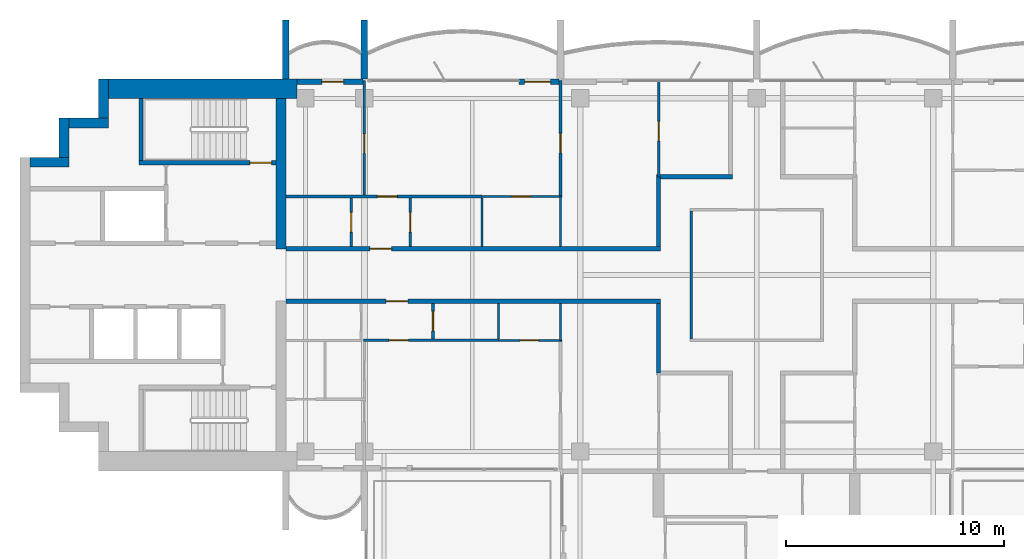
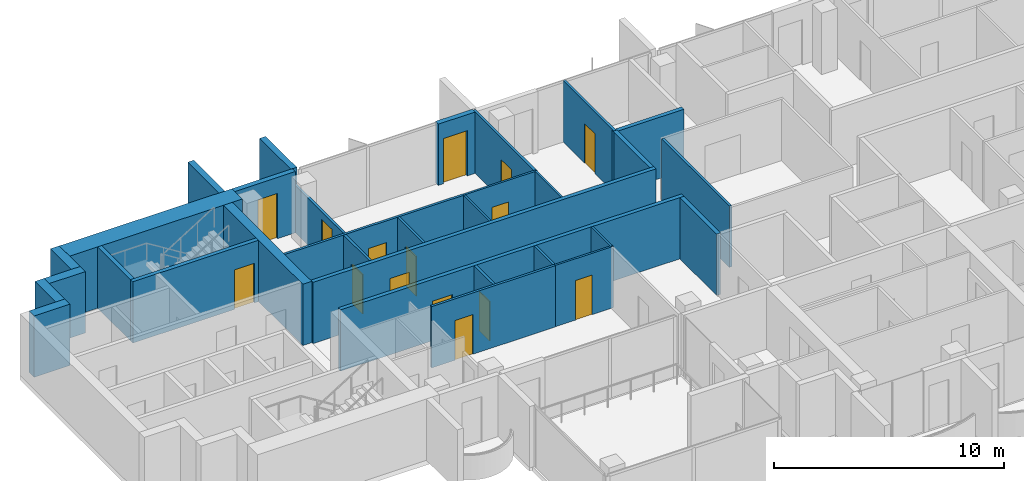
# One storey, part 8 of 16: 32 walls, 15 doors, 15 openings.
"""IFC4 building model written with IfcOpenShell, lengths in metres."""

import ifcopenshell
import ifcopenshell.guid

model = None  # the IFC model being written
_history = None  # IfcOwnerHistory: only IFC2X3 demands one
_inside = {}  # id of a spatial element -> (the spatial element, [elements in it])
_under = {}  # id of a project, library or spatial element -> (it, [spatial elements below it])
_declared = {}  # id of a project -> (the project, [libraries it declares])
_typed = {}  # id of a type object -> (the type object, [elements of that type])
_made_of = {}  # id of a material, layer set ... -> (it, [elements and type objects made of it])


def new_model(schema):
    """Start an empty IFC model of exactly this schema.

    Asked for "IFC4X3", IfcOpenShell would pick the latest addendum, in which some entities
    have other attributes; the version numbers below select the first issue.
    IFC2X3 requires an IfcOwnerHistory on every rooted entity: one is made here for all.
    """
    global model, _history
    if schema == "IFC4X3":
        model = ifcopenshell.file(schema_version=(4, 3, 0, 0))
    else:
        model = ifcopenshell.file(schema=schema)
    _inside.clear()
    _under.clear()
    _declared.clear()
    _typed.clear()
    _made_of.clear()
    _history = None
    if model.schema == "IFC2X3":
        org = make("IfcOrganization", Name="unknown")
        user = make(
            "IfcPersonAndOrganization",
            ThePerson=make("IfcPerson", FamilyName="unknown"),
            TheOrganization=org,
        )
        app = make(
            "IfcApplication",
            ApplicationDeveloper=org,
            Version="unknown",
            ApplicationFullName="unknown",
            ApplicationIdentifier="unknown",
        )
        _history = make(
            "IfcOwnerHistory",
            OwningUser=user,
            OwningApplication=app,
            ChangeAction="ADDED",
            CreationDate=0,
        )
    return model


def make(cls, **values):
    """One entity of the class cls with the attributes given. An attribute that is None is left unset."""
    return model.create_entity(
        cls, **{name: value for name, value in values.items() if value is not None}
    )


def rooted(cls, **values):
    """An entity with a GlobalId (a new one), such as an element, a storey or a relation."""
    return make(cls, GlobalId=ifcopenshell.guid.new(), OwnerHistory=_history, **values)


def si_unit(unit_type, name, prefix=None):
    """IfcSIUnit, for example si_unit("LENGTHUNIT", "METRE", prefix="MILLI")."""
    return make("IfcSIUnit", UnitType=unit_type, Prefix=prefix, Name=name)


def assignment(units):
    """IfcUnitAssignment: the units of a project."""
    return None if units is None else make("IfcUnitAssignment", Units=units)


def point(xyz):
    """IfcCartesianPoint."""
    return None if xyz is None else make("IfcCartesianPoint", Coordinates=xyz)


def direction(xyz):
    """IfcDirection."""
    return None if xyz is None else make("IfcDirection", DirectionRatios=xyz)


def frame(location, z_axis=None, x_axis=None):
    """IfcAxis2Placement3D, a coordinate frame: its origin and axes. An axis left out is left unset."""
    return make(
        "IfcAxis2Placement3D",
        Location=point(location),
        Axis=direction(z_axis),
        RefDirection=direction(x_axis),
    )


def frame_2d(location, x_axis=None):
    """IfcAxis2Placement2D, a coordinate frame in the plane: its origin and x axis."""
    return make(
        "IfcAxis2Placement2D", Location=point(location), RefDirection=direction(x_axis)
    )


def origin():
    """The frame at (0, 0, 0) with its axes left unset."""
    return frame((0.0, 0.0, 0.0))


def place(relative_to, where):
    """IfcLocalPlacement: puts the frame where relative to a parent placement (None: the world)."""
    return make(
        "IfcLocalPlacement", PlacementRelTo=relative_to, RelativePlacement=where
    )


def context(
    kind, dimensions, precision=None, world=None, true_north=None, identifier=None
):
    """IfcGeometricRepresentationContext, for example the 3D "Model" context."""
    return make(
        "IfcGeometricRepresentationContext",
        ContextIdentifier=identifier,
        ContextType=kind,
        CoordinateSpaceDimension=dimensions,
        Precision=precision,
        WorldCoordinateSystem=world,
        TrueNorth=true_north,
    )


def subcontext(parent, identifier, kind, view, scale=None):
    """IfcGeometricRepresentationSubContext, for example "Body" below "Model"."""
    return make(
        "IfcGeometricRepresentationSubContext",
        ContextIdentifier=identifier,
        ContextType=kind,
        ParentContext=parent,
        TargetScale=scale,
        TargetView=view,
    )


def project(units=None, contexts=None):
    """IfcProject with its units and contexts."""
    return rooted(
        "IfcProject",
        Name="project",
        RepresentationContexts=contexts,
        UnitsInContext=assignment(units),
    )


def spatial(cls, under=None, at=None, **own):
    """A site, building, storey or space (cls), placed at a placement, below another one or the project."""
    s = rooted(cls, ObjectPlacement=at, **own)
    if under is not None:
        _under.setdefault(under.id(), (under, []))[1].append(s)
    return s


def profile(cls, at=None, kind="AREA", **sizes):
    """A parametric profile (cls). Its sizes go by their IFC names, for example OverallWidth=200.0."""
    return make(cls, ProfileType=kind, Position=at, **sizes)


def rectangle(**sizes):
    """IfcRectangleProfileDef."""
    return profile("IfcRectangleProfileDef", **sizes)


def extrude(swept, where, along, depth):
    """IfcExtrudedAreaSolid: the profile swept, set in the frame where, extruded along a direction by depth."""
    return make(
        "IfcExtrudedAreaSolid",
        SweptArea=swept,
        Position=where,
        ExtrudedDirection=direction(along),
        Depth=depth,
    )


def shape(context_of_items, identifier, shape_type, items):
    """IfcShapeRepresentation: the items that make up one representation, for example the "Body"."""
    return make(
        "IfcShapeRepresentation",
        ContextOfItems=context_of_items,
        RepresentationIdentifier=identifier,
        RepresentationType=shape_type,
        Items=items,
    )


def material(Name=None, Category=None):
    """IfcMaterial."""
    return make("IfcMaterial", Name=Name, Category=Category)


def layer(
    of_material, thickness, ventilated=None, Name=None, Category=None, Priority=None
):
    """IfcMaterialLayer: one layer of a wall or slab, of a material (None: an air gap)."""
    return make(
        "IfcMaterialLayer",
        Material=of_material,
        LayerThickness=thickness,
        IsVentilated=ventilated,
        Name=Name,
        Category=Category,
        Priority=Priority,
    )


def layer_set(layers, Name=None):
    """IfcMaterialLayerSet."""
    return make("IfcMaterialLayerSet", MaterialLayers=layers, LayerSetName=Name)


def made_of(thing, what):
    """Note that an element or type object is made of a material, layer set ...; save() writes the relation."""
    if what is not None:
        _made_of.setdefault(what.id(), (what, []))[1].append(thing)
    return thing


def type_object(cls, material=None, **own):
    """A type object (cls), such as IfcWallType, which elements share."""
    return made_of(rooted(cls, **own), material)


def element(
    cls,
    number,
    at=None,
    inside=None,
    cuts=None,
    type_object=None,
    material=None,
    context=None,
    identifier="Body",
    shape_type=None,
    held_by="IfcProductDefinitionShape",
    body=None,
    shapes=None,
    **own,
):
    """One element of the class cls, such as IfcWall. Its Tag is "e" and its number.

    at: its placement. inside: the storey or other place that contains it. cuts: it is an
    opening in that element (IfcRelVoidsElement). A single representation is given by context,
    identifier, shape_type and body (its items); several are given by shapes. held_by: the class
    of the entity that holds the representations. save() writes the other relations.
    """
    e = rooted(cls, Tag="e%d" % number, ObjectPlacement=at, **own)
    if body is not None:
        shapes = [shape(context, identifier, shape_type, body)]
    if shapes is not None:
        e.Representation = make(held_by, Representations=shapes)
    if inside is not None:
        _inside.setdefault(inside.id(), (inside, []))[1].append(e)
    if cuts is not None:
        rooted(
            "IfcRelVoidsElement", RelatingBuildingElement=cuts, RelatedOpeningElement=e
        )
    if type_object is not None:
        _typed.setdefault(type_object.id(), (type_object, []))[1].append(e)
    return made_of(e, material)


def fill(opening, filler):
    """IfcRelFillsElement: the door or window that sits in an opening."""
    return rooted(
        "IfcRelFillsElement",
        RelatingOpeningElement=opening,
        RelatedBuildingElement=filler,
    )


def aggregate(whole, parts):
    """IfcRelAggregates: a whole, such as a stair, and the parts it consists of."""
    return rooted("IfcRelAggregates", RelatingObject=whole, RelatedObjects=parts)


def save(model, path):
    """Write the relations noted so far, then the file.

    IfcRelAggregates (storeys below a building ...), IfcRelContainedInSpatialStructure (elements
    in a storey), IfcRelDefinesByType, IfcRelAssociatesMaterial and IfcRelDeclares: one each for
    every whole, place, type object, material and project.
    """
    for whole, parts in _under.values():
        aggregate(whole, parts)
    for where, things in _inside.values():
        rooted(
            "IfcRelContainedInSpatialStructure",
            RelatedElements=things,
            RelatingStructure=where,
        )
    for kind, things in _typed.values():
        rooted("IfcRelDefinesByType", RelatedObjects=things, RelatingType=kind)
    for what, things in _made_of.values():
        rooted("IfcRelAssociatesMaterial", RelatedObjects=things, RelatingMaterial=what)
    for by, libraries in _declared.values():
        rooted("IfcRelDeclares", RelatingContext=by, RelatedDefinitions=libraries)
    model.write(path)


model = new_model("IFC4")

# Units and contexts
model_context = context("Model", 3, precision=1e-05, world=origin(), true_north=direction((0.0, 1.0)))
body_context = subcontext(model_context, "Body", "Model", "MODEL_VIEW")
ifc_project = project(units=[si_unit("LENGTHUNIT", "METRE"), si_unit("AREAUNIT", "SQUARE_METRE"), si_unit("VOLUMEUNIT", "CUBIC_METRE"), si_unit("PLANEANGLEUNIT", "RADIAN"), si_unit("MASSUNIT", "GRAM", prefix="KILO")], contexts=[model_context])

# Site, building, storey
site_placement = place(None, origin())
site = spatial("IfcSite", under=ifc_project, at=site_placement, CompositionType="ELEMENT")
building_placement = place(site_placement, origin())
building = spatial("IfcBuilding", under=site, at=building_placement, Name="Perihelion Cross Residences", CompositionType="ELEMENT")
storey_placement = place(building_placement, frame((0.0, 0.0, 267.5)))
storey = spatial("IfcBuildingStorey", under=building, at=storey_placement, Name="L68", CompositionType="ELEMENT", Elevation=267.5)

# Wall, opening, door
ifc_material_1 = material(Name="Plasterboard partition")
ifc_layer_1 = layer(ifc_material_1, 0.199951171875)
ifc_layer_set_1 = layer_set([ifc_layer_1], Name="Apartment separation wall 200")
wall_type_1 = type_object("IfcWallType", Name="Apartment separation wall 200", PredefinedType="PARTITIONING", material=ifc_layer_set_1)
wall_1_placement = place(storey_placement, frame((-21.60009765625, 1.199951171875, 0.0), z_axis=(0.0, 0.0, 1.0), x_axis=(1.0, 0.0, 0.0)))
wall_1 = element("IfcWall", 1, at=wall_1_placement, inside=storey, type_object=wall_type_1, Name="Partition L68 W013", PredefinedType="PARTITIONING", context=body_context, shape_type="SweptSolid", body=[
    extrude(rectangle(XDim=17.2001953125, YDim=0.199951171875, at=frame_2d((8.60009765625, 0.0))), origin(), (0.0, 0.0, 1.0), 3.25),
])
opening_1_placement = place(wall_1_placement, frame((3.85009765625, 0.0, 0.0)))
opening_1 = element("IfcOpeningElement", 2, at=opening_1_placement, cuts=wall_1, Name="Opening L68.A42", PredefinedType="OPENING", context=body_context, shape_type="SweptSolid", body=[
    extrude(rectangle(XDim=1.0, YDim=2.10009765625, at=frame_2d((0.5, 1.050048828125))), frame((0.0, 0.10986328125, 0.0), z_axis=(0.0, -1.0, 0.0), x_axis=(1.0, 0.0, 0.0)), (0.0, 0.0, 1.0), 0.219970703125),
])
ifc_material_2 = material(Name="Timber door leaf", Category="wood")
door_type_1 = type_object("IfcDoorType", Name="Flat entrance door 1000 x 2100", OperationType="SINGLE_SWING_LEFT", PredefinedType="DOOR", material=ifc_material_2)
door_1_placement = place(opening_1_placement, origin())
door_1 = element("IfcDoor", 3, at=door_1_placement, inside=storey, type_object=door_type_1, Name="Door L68.A42", OperationType="SINGLE_SWING_RIGHT", OverallHeight=2.10009765625, OverallWidth=1.0, PredefinedType="DOOR", context=body_context, shape_type="SweptSolid", body=[
    extrude(rectangle(XDim=1.0, YDim=2.10009765625, at=frame_2d((0.5, 1.050048828125))), frame((0.0, 0.02490234375, 0.0), z_axis=(0.0, -1.0, 0.0), x_axis=(1.0, 0.0, 0.0)), (0.0, 0.0, 1.0), 0.050048828125),
])
fill(opening_1, door_1)

# Walls
wall_2_placement = place(storey_placement, frame((-4.5, 1.300048828125, 0.0), z_axis=(0.0, 0.0, 1.0), x_axis=(0.0, 1.0, 0.0)))
element("IfcWall", 4, at=wall_2_placement, inside=storey, type_object=wall_type_1, Name="Partition L68 W014", PredefinedType="PARTITIONING", context=body_context, shape_type="SweptSolid", body=[
    extrude(rectangle(XDim=3.199951171875, YDim=0.199951171875, at=frame_2d((1.60009765625, 0.0))), origin(), (0.0, 0.0, 1.0), 3.25),
])
wall_3_placement = place(storey_placement, frame((-4.60009765625, 4.5, 0.0), z_axis=(0.0, 0.0, 1.0), x_axis=(1.0, 0.0, 0.0)))
element("IfcWall", 5, at=wall_3_placement, inside=storey, type_object=wall_type_1, Name="Partition L68 W015", PredefinedType="PARTITIONING", context=body_context, shape_type="SweptSolid", body=[
    extrude(rectangle(XDim=3.5, YDim=0.199951171875, at=frame_2d((1.75, 0.0))), origin(), (0.0, 0.0, 1.0), 3.25),
])

# Wall, opening, door
wall_4_placement = place(storey_placement, frame((-4.39990234375, -1.199951171875, 0.0), z_axis=(0.0, 0.0, 1.0), x_axis=(-1.0, 0.0, 0.0)))
wall_4 = element("IfcWall", 6, at=wall_4_placement, inside=storey, type_object=wall_type_1, Name="Partition L68 W017", PredefinedType="PARTITIONING", context=body_context, shape_type="SweptSolid", body=[
    extrude(rectangle(XDim=17.2001953125, YDim=0.199951171875, at=frame_2d((8.60009765625, 0.0))), origin(), (0.0, 0.0, 1.0), 3.25),
])
opening_2_placement = place(wall_4_placement, frame((11.60009765625, 0.0, 0.0)))
opening_2 = element("IfcOpeningElement", 7, at=opening_2_placement, cuts=wall_4, Name="Opening L68.A43", PredefinedType="OPENING", context=body_context, shape_type="SweptSolid", body=[
    extrude(rectangle(XDim=1.0, YDim=2.10009765625, at=frame_2d((0.5, 1.050048828125))), frame((0.0, 0.10986328125, 0.0), z_axis=(0.0, -1.0, 0.0), x_axis=(1.0, 0.0, 0.0)), (0.0, 0.0, 1.0), 0.219970703125),
])
door_2_placement = place(opening_2_placement, origin())
door_2 = element("IfcDoor", 8, at=door_2_placement, inside=storey, type_object=door_type_1, Name="Door L68.A43", OperationType="SINGLE_SWING_RIGHT", OverallHeight=2.10009765625, OverallWidth=1.0, PredefinedType="DOOR", context=body_context, shape_type="SweptSolid", body=[
    extrude(rectangle(XDim=1.0, YDim=2.10009765625, at=frame_2d((0.5, 1.050048828125))), frame((0.0, 0.02490234375, 0.0), z_axis=(0.0, -1.0, 0.0), x_axis=(1.0, 0.0, 0.0)), (0.0, 0.0, 1.0), 0.050048828125),
])
fill(opening_2, door_2)

# Wall
wall_5_placement = place(storey_placement, frame((-4.5, -4.5, 0.0), z_axis=(0.0, 0.0, 1.0), x_axis=(0.0, 1.0, 0.0)))
element("IfcWall", 9, at=wall_5_placement, inside=storey, type_object=wall_type_1, Name="Partition L68 W018", PredefinedType="PARTITIONING", context=body_context, shape_type="SweptSolid", body=[
    extrude(rectangle(XDim=3.199951171875, YDim=0.199951171875, at=frame_2d((1.60009765625, 0.0))), origin(), (0.0, 0.0, 1.0), 3.25),
])

# Wall, opening, door
ifc_material_3 = material(Name="Concrete C30/37, bronze-clad", Category="concrete")
ifc_layer_2 = layer(ifc_material_3, 0.25)
ifc_layer_set_2 = layer_set([ifc_layer_2], Name="Bronze-clad pier wall 250")
wall_type_2 = type_object("IfcWallType", Name="Bronze-clad pier wall 250", PredefinedType="SOLIDWALL", material=ifc_layer_set_2)
wall_6_placement = place(storey_placement, frame((-9.06005859375, 8.875, 0.0), z_axis=(0.0, 0.0, 1.0), x_axis=(-1.0, 0.0, 0.0)))
wall_6 = element("IfcWall", 10, at=wall_6_placement, inside=storey, type_object=wall_type_2, Name="Wall FW1 L68 west side north bay 1 pier", PredefinedType="SOLIDWALL", context=body_context, shape_type="SweptSolid", body=[
    extrude(rectangle(XDim=1.83984375, YDim=0.25, at=frame_2d((0.919921875, 0.0))), origin(), (0.0, 0.0, 1.0), 3.25),
])
opening_3_placement = place(wall_6_placement, frame((0.389892578125, 0.0, 0.0)))
opening_3 = element("IfcOpeningElement", 11, at=opening_3_placement, cuts=wall_6, Name="Opening L68.E05", PredefinedType="OPENING", context=body_context, shape_type="SweptSolid", body=[
    extrude(rectangle(XDim=1.199951171875, YDim=2.39990234375, at=frame_2d((0.60009765625, 1.199951171875))), frame((0.0, 0.135009765625, 0.0), z_axis=(0.0, -1.0, 0.0), x_axis=(1.0, 0.0, 0.0)), (0.0, 0.0, 1.0), 0.27001953125),
])
ifc_material_4 = material(Name="Bronze anodised aluminium, glazed", Category="aluminium")
door_type_2 = type_object("IfcDoorType", Name="Balcony door 1200 x 2400", OperationType="NOTDEFINED", PredefinedType="DOOR", material=ifc_material_4)
door_3_placement = place(opening_3_placement, origin())
door_3 = element("IfcDoor", 12, at=door_3_placement, inside=storey, type_object=door_type_2, Name="Door L68.E05 west side north bay 1", OperationType="SINGLE_SWING_LEFT", OverallHeight=2.39990234375, OverallWidth=1.199951171875, PredefinedType="DOOR", context=body_context, shape_type="SweptSolid", body=[
    extrude(rectangle(XDim=1.199951171875, YDim=2.39990234375, at=frame_2d((0.60009765625, 1.199951171875))), frame((0.0, 0.02490234375, 0.0), z_axis=(0.0, -1.0, 0.0), x_axis=(1.0, 0.0, 0.0)), (0.0, 0.0, 1.0), 0.050048828125),
])
fill(opening_3, door_3)

wall_7_placement = place(storey_placement, frame((-18.06005859375, 8.875, 0.0), z_axis=(0.0, 0.0, 1.0), x_axis=(-1.0, 0.0, 0.0)))
wall_7 = element("IfcWall", 13, at=wall_7_placement, inside=storey, type_object=wall_type_2, Name="Wall FW1 L68 west side north bay 2 pier", PredefinedType="SOLIDWALL", context=body_context, shape_type="SweptSolid", body=[
    extrude(rectangle(XDim=3.0400390625, YDim=0.25, at=frame_2d((1.52001953125, 0.0))), origin(), (0.0, 0.0, 1.0), 3.25),
])
opening_4_placement = place(wall_7_placement, frame((0.889892578125, 0.0, 0.0)))
opening_4 = element("IfcOpeningElement", 14, at=opening_4_placement, cuts=wall_7, Name="Opening L68.E06", PredefinedType="OPENING", context=body_context, shape_type="SweptSolid", body=[
    extrude(rectangle(XDim=1.0, YDim=2.39990234375, at=frame_2d((0.5, 1.199951171875))), frame((0.0, 0.135009765625, 0.0), z_axis=(0.0, -1.0, 0.0), x_axis=(1.0, 0.0, 0.0)), (0.0, 0.0, 1.0), 0.27001953125),
])
ifc_material_5 = material(Name="Bronze anodised aluminium, glazed", Category="aluminium")
door_type_3 = type_object("IfcDoorType", Name="Balcony door 1000 x 2400", OperationType="NOTDEFINED", PredefinedType="DOOR", material=ifc_material_5)
door_4_placement = place(opening_4_placement, origin())
door_4 = element("IfcDoor", 15, at=door_4_placement, inside=storey, type_object=door_type_3, Name="Door L68.E06 west side north bay 2", OperationType="SINGLE_SWING_RIGHT", OverallHeight=2.39990234375, OverallWidth=1.0, PredefinedType="DOOR", context=body_context, shape_type="SweptSolid", body=[
    extrude(rectangle(XDim=1.0, YDim=2.39990234375, at=frame_2d((0.5, 1.199951171875))), frame((0.0, 0.02490234375, 0.0), z_axis=(0.0, -1.0, 0.0), x_axis=(1.0, 0.0, 0.0)), (0.0, 0.0, 1.0), 0.050048828125),
])
fill(opening_4, door_4)

# Walls
ifc_material_6 = material(Name="Concrete C60/75", Category="concrete")
ifc_layer_3 = layer(ifc_material_6, 0.449951171875)
ifc_layer_set_3 = layer_set([ifc_layer_3], Name="Core wall, inner 450")
wall_type_3 = type_object("IfcWallType", Name="Core wall, inner 450", PredefinedType="SHEAR", material=ifc_layer_set_3)
wall_8_placement = place(storey_placement, frame((-21.824951171875, 1.199951171875, 0.0), z_axis=(0.0, 0.0, 1.0), x_axis=(0.0, 1.0, 0.0)))
element("IfcWall", 16, at=wall_8_placement, inside=storey, type_object=wall_type_3, Name="West core core wall, inner", PredefinedType="SHEAR", context=body_context, shape_type="SweptSolid", body=[
    extrude(rectangle(XDim=6.900146484375, YDim=0.449951171875, at=frame_2d((3.4501953125, 0.0))), origin(), (0.0, 0.0, 1.0), 3.25),
])
ifc_material_7 = material(Name="Concrete C60/75", Category="concrete")
ifc_layer_4 = layer(ifc_material_7, 0.449951171875)
ifc_layer_set_4 = layer_set([ifc_layer_4], Name="Core wall, outer 450")
wall_type_4 = type_object("IfcWallType", Name="Core wall, outer 450", PredefinedType="SHEAR", material=ifc_layer_set_4)
for number, where, z_axis, x_axis, name in (
    (17, (-33.35009765625, 5.175048828125, 0.0), (0.0, 0.0, 1.0), (1.0, 0.0, 0.0), "West core core wall, outer"),
    (18, (-31.77490234375, 5.39990234375, 0.0), (0.0, 0.0, 1.0), (0.0, 1.0, 0.0), "West core core wall, outer"),
    (19, (-31.550048828125, 6.97509765625, 0.0), (0.0, 0.0, 1.0), (1.0, 0.0, 0.0), "West core core wall, outer"),
    (20, (-29.97509765625, 7.199951171875, 0.0), (0.0, 0.0, 1.0), (0.0, 1.0, 0.0), "West core core wall, outer"),
):
    element("IfcWall", number, at=place(storey_placement, frame(where, z_axis=z_axis, x_axis=x_axis)), inside=storey, type_object=wall_type_4, Name=name, PredefinedType="SHEAR", context=body_context, shape_type="SweptSolid", body=[
        extrude(rectangle(XDim=1.800048828125, YDim=0.449951171875, at=frame_2d((0.89990234375, 0.0))), origin(), (0.0, 0.0, 1.0), 3.25),
    ])
ifc_material_8 = material(Name="Concrete C60/75", Category="concrete")
ifc_layer_5 = layer(ifc_material_8, 0.89990234375)
ifc_layer_set_5 = layer_set([ifc_layer_5], Name="Core wall, outer 900")
wall_type_5 = type_object("IfcWallType", Name="Core wall, outer 900", PredefinedType="SHEAR", material=ifc_layer_set_5)
wall_9_placement = place(storey_placement, frame((-29.75, 8.550048828125, 0.0), z_axis=(0.0, 0.0, 1.0), x_axis=(1.0, 0.0, 0.0)))
element("IfcWall", 21, at=wall_9_placement, inside=storey, type_object=wall_type_5, Name="West core core wall, outer", PredefinedType="SHEAR", context=body_context, shape_type="SweptSolid", body=[
    extrude(rectangle(XDim=8.64990234375, YDim=0.89990234375, at=frame_2d((4.324951171875, 0.0))), origin(), (0.0, 0.0, 1.0), 3.25),
])
ifc_material_9 = material(Name="Plasterboard partition")
ifc_layer_6 = layer(ifc_material_9, 0.1201171875)
ifc_layer_set_6 = layer_set([ifc_layer_6], Name="Partition wall 120")
wall_type_6 = type_object("IfcWallType", Name="Partition wall 120", PredefinedType="PARTITIONING", material=ifc_layer_set_6)
wall_10_placement = place(storey_placement, frame((-3.0, 2.93994140625, 0.0), z_axis=(0.0, 0.0, 1.0), x_axis=(0.0, -1.0, 0.0)))
element("IfcWall", 22, at=wall_10_placement, inside=storey, type_object=wall_type_6, Name="Partition L68 W004", PredefinedType="PARTITIONING", context=body_context, shape_type="SweptSolid", body=[
    extrude(rectangle(XDim=5.8798828125, YDim=0.1201171875, at=frame_2d((2.93994140625, 0.0))), origin(), (0.0, 0.0, 1.0), 3.25),
])

# Wall, opening, door
wall_11_placement = place(storey_placement, frame((-15.89990234375, 1.300048828125, 0.0), z_axis=(0.0, 0.0, 1.0), x_axis=(0.0, 1.0, 0.0)))
wall_11 = element("IfcWall", 23, at=wall_11_placement, inside=storey, type_object=wall_type_6, Name="Partition L68 W047", PredefinedType="PARTITIONING", context=body_context, shape_type="SweptSolid", body=[
    extrude(rectangle(XDim=2.239990234375, YDim=0.1201171875, at=frame_2d((1.1201171875, 0.0))), origin(), (0.0, 0.0, 1.0), 3.25),
])
opening_5_placement = place(wall_11_placement, frame((0.669921875, 0.0, 0.0)))
opening_5 = element("IfcOpeningElement", 24, at=opening_5_placement, cuts=wall_11, Name="Opening L68.A20", PredefinedType="OPENING", context=body_context, shape_type="SweptSolid", body=[
    extrude(rectangle(XDim=0.89990234375, YDim=2.10009765625, at=frame_2d((0.449951171875, 1.050048828125))), frame((0.0, 0.070068359375, 0.0), z_axis=(0.0, -1.0, 0.0), x_axis=(1.0, 0.0, 0.0)), (0.0, 0.0, 1.0), 0.14013671875),
])
ifc_material_10 = material(Name="Timber door leaf", Category="wood")
door_type_4 = type_object("IfcDoorType", Name="Interior room door 900 x 2100", OperationType="SINGLE_SWING_LEFT", PredefinedType="DOOR", material=ifc_material_10)
door_5_placement = place(opening_5_placement, origin())
door_5 = element("IfcDoor", 25, at=door_5_placement, inside=storey, type_object=door_type_4, Name="Door L68.A20", OperationType="SINGLE_SWING_LEFT", OverallHeight=2.10009765625, OverallWidth=0.89990234375, PredefinedType="DOOR", context=body_context, shape_type="SweptSolid", body=[
    extrude(rectangle(XDim=0.89990234375, YDim=2.10009765625, at=frame_2d((0.449951171875, 1.050048828125))), frame((0.0, 0.02490234375, 0.0), z_axis=(0.0, -1.0, 0.0), x_axis=(1.0, 0.0, 0.0)), (0.0, 0.0, 1.0), 0.050048828125),
])
fill(opening_5, door_5)

wall_12_placement = place(storey_placement, frame((-21.60009765625, 3.60009765625, 0.0), z_axis=(0.0, 0.0, 1.0), x_axis=(1.0, 0.0, 0.0)))
wall_12 = element("IfcWall", 26, at=wall_12_placement, inside=storey, type_object=wall_type_6, Name="Partition L68 W048", PredefinedType="PARTITIONING", context=body_context, shape_type="SweptSolid", body=[
    extrude(rectangle(XDim=9.0, YDim=0.1201171875, at=frame_2d((4.5, 0.0))), origin(), (0.0, 0.0, 1.0), 3.25),
])
opening_6_placement = place(wall_12_placement, frame((4.199951171875, 0.0, 0.0)))
opening_6 = element("IfcOpeningElement", 27, at=opening_6_placement, cuts=wall_12, Name="Opening L68.A21", PredefinedType="OPENING", context=body_context, shape_type="SweptSolid", body=[
    extrude(rectangle(XDim=0.89990234375, YDim=2.10009765625, at=frame_2d((0.449951171875, 1.050048828125))), frame((0.0, 0.070068359375, 0.0), z_axis=(0.0, -1.0, 0.0), x_axis=(1.0, 0.0, 0.0)), (0.0, 0.0, 1.0), 0.14013671875),
])
door_6_placement = place(opening_6_placement, origin())
door_6 = element("IfcDoor", 28, at=door_6_placement, inside=storey, type_object=door_type_4, Name="Door L68.A21", OperationType="SINGLE_SWING_LEFT", OverallHeight=2.10009765625, OverallWidth=0.89990234375, PredefinedType="DOOR", context=body_context, shape_type="SweptSolid", body=[
    extrude(rectangle(XDim=0.89990234375, YDim=2.10009765625, at=frame_2d((0.449951171875, 1.050048828125))), frame((0.0, 0.02490234375, 0.0), z_axis=(0.0, -1.0, 0.0), x_axis=(1.0, 0.0, 0.0)), (0.0, 0.0, 1.0), 0.050048828125),
])
fill(opening_6, door_6)

wall_13_placement = place(storey_placement, frame((-18.60009765625, 1.300048828125, 0.0), z_axis=(0.0, 0.0, 1.0), x_axis=(0.0, 1.0, 0.0)))
wall_13 = element("IfcWall", 29, at=wall_13_placement, inside=storey, type_object=wall_type_6, Name="Partition L68 W049", PredefinedType="PARTITIONING", context=body_context, shape_type="SweptSolid", body=[
    extrude(rectangle(XDim=2.239990234375, YDim=0.1201171875, at=frame_2d((1.1201171875, 0.0))), origin(), (0.0, 0.0, 1.0), 3.25),
])
opening_7_placement = place(wall_13_placement, frame((0.669921875, 0.0, 0.0)))
opening_7 = element("IfcOpeningElement", 30, at=opening_7_placement, cuts=wall_13, Name="Opening L68.A19", PredefinedType="OPENING", context=body_context, shape_type="SweptSolid", body=[
    extrude(rectangle(XDim=0.89990234375, YDim=2.10009765625, at=frame_2d((0.449951171875, 1.050048828125))), frame((0.0, 0.070068359375, 0.0), z_axis=(0.0, -1.0, 0.0), x_axis=(1.0, 0.0, 0.0)), (0.0, 0.0, 1.0), 0.14013671875),
])
door_7_placement = place(opening_7_placement, origin())
door_7 = element("IfcDoor", 31, at=door_7_placement, inside=storey, type_object=door_type_4, Name="Door L68.A19", OperationType="SINGLE_SWING_LEFT", OverallHeight=2.10009765625, OverallWidth=0.89990234375, PredefinedType="DOOR", context=body_context, shape_type="SweptSolid", body=[
    extrude(rectangle(XDim=0.89990234375, YDim=2.10009765625, at=frame_2d((0.449951171875, 1.050048828125))), frame((0.0, 0.02490234375, 0.0), z_axis=(0.0, -1.0, 0.0), x_axis=(1.0, 0.0, 0.0)), (0.0, 0.0, 1.0), 0.050048828125),
])
fill(opening_7, door_7)

wall_14_placement = place(storey_placement, frame((-18.0, 3.659912109375, 0.0), z_axis=(0.0, 0.0, 1.0), x_axis=(0.0, 1.0, 0.0)))
wall_14 = element("IfcWall", 32, at=wall_14_placement, inside=storey, type_object=wall_type_6, Name="Partition L68 W050", PredefinedType="PARTITIONING", context=body_context, shape_type="SweptSolid", body=[
    extrude(rectangle(XDim=5.260009765625, YDim=0.1201171875, at=frame_2d((2.6298828125, 0.0))), origin(), (0.0, 0.0, 1.0), 2.49609375),
])
opening_8_placement = place(wall_14_placement, frame((1.919921875, 0.0, 0.0)))
opening_8 = element("IfcOpeningElement", 33, at=opening_8_placement, cuts=wall_14, Name="Opening L68.A22", PredefinedType="OPENING", context=body_context, shape_type="SweptSolid", body=[
    extrude(rectangle(XDim=0.89990234375, YDim=2.10009765625, at=frame_2d((0.449951171875, 1.050048828125))), frame((0.0, 0.070068359375, 0.0), z_axis=(0.0, -1.0, 0.0), x_axis=(1.0, 0.0, 0.0)), (0.0, 0.0, 1.0), 0.14013671875),
])
door_8_placement = place(opening_8_placement, origin())
door_8 = element("IfcDoor", 34, at=door_8_placement, inside=storey, type_object=door_type_4, Name="Door L68.A22", OperationType="SINGLE_SWING_RIGHT", OverallHeight=2.10009765625, OverallWidth=0.89990234375, PredefinedType="DOOR", context=body_context, shape_type="SweptSolid", body=[
    extrude(rectangle(XDim=0.89990234375, YDim=2.10009765625, at=frame_2d((0.449951171875, 1.050048828125))), frame((0.0, 0.02490234375, 0.0), z_axis=(0.0, -1.0, 0.0), x_axis=(1.0, 0.0, 0.0)), (0.0, 0.0, 1.0), 0.050048828125),
])
fill(opening_8, door_8)

wall_15_placement = place(storey_placement, frame((-9.0, 8.919921875, 0.0), z_axis=(0.0, 0.0, 1.0), x_axis=(0.0, -1.0, 0.0)))
wall_15 = element("IfcWall", 35, at=wall_15_placement, inside=storey, type_object=wall_type_6, Name="Partition L68 W051", PredefinedType="PARTITIONING", context=body_context, shape_type="SweptSolid", body=[
    extrude(rectangle(XDim=5.31982421875, YDim=0.1201171875, at=frame_2d((2.659912109375, 0.0))), origin(), (0.0, 0.0, 1.0), 3.25),
])
opening_9_placement = place(wall_15_placement, frame((2.419921875, 0.0, 0.0)))
opening_9 = element("IfcOpeningElement", 36, at=opening_9_placement, cuts=wall_15, Name="Opening L68.A24", PredefinedType="OPENING", context=body_context, shape_type="SweptSolid", body=[
    extrude(rectangle(XDim=0.89990234375, YDim=2.10009765625, at=frame_2d((0.449951171875, 1.050048828125))), frame((0.0, 0.070068359375, 0.0), z_axis=(0.0, -1.0, 0.0), x_axis=(1.0, 0.0, 0.0)), (0.0, 0.0, 1.0), 0.14013671875),
])
door_9_placement = place(opening_9_placement, origin())
door_9 = element("IfcDoor", 37, at=door_9_placement, inside=storey, type_object=door_type_4, Name="Door L68.A24", OperationType="SINGLE_SWING_RIGHT", OverallHeight=2.10009765625, OverallWidth=0.89990234375, PredefinedType="DOOR", context=body_context, shape_type="SweptSolid", body=[
    extrude(rectangle(XDim=0.89990234375, YDim=2.10009765625, at=frame_2d((0.449951171875, 1.050048828125))), frame((0.0, 0.02490234375, 0.0), z_axis=(0.0, -1.0, 0.0), x_axis=(1.0, 0.0, 0.0)), (0.0, 0.0, 1.0), 0.050048828125),
])
fill(opening_9, door_9)

wall_16_placement = place(storey_placement, frame((-4.5, 8.919921875, 0.0), z_axis=(0.0, 0.0, 1.0), x_axis=(0.0, -1.0, 0.0)))
wall_16 = element("IfcWall", 38, at=wall_16_placement, inside=storey, type_object=wall_type_6, Name="Partition L68 W052", PredefinedType="PARTITIONING", context=body_context, shape_type="SweptSolid", body=[
    extrude(rectangle(XDim=4.419921875, YDim=0.1201171875, at=frame_2d((2.2099609375, 0.0))), origin(), (0.0, 0.0, 1.0), 3.25),
])
opening_10_placement = place(wall_16_placement, frame((1.8701171875, 0.0, 0.0)))
opening_10 = element("IfcOpeningElement", 39, at=opening_10_placement, cuts=wall_16, Name="Opening L68.A18", PredefinedType="OPENING", context=body_context, shape_type="SweptSolid", body=[
    extrude(rectangle(XDim=0.89990234375, YDim=2.10009765625, at=frame_2d((0.449951171875, 1.050048828125))), frame((0.0, 0.070068359375, 0.0), z_axis=(0.0, -1.0, 0.0), x_axis=(1.0, 0.0, 0.0)), (0.0, 0.0, 1.0), 0.14013671875),
])
door_10_placement = place(opening_10_placement, origin())
door_10 = element("IfcDoor", 40, at=door_10_placement, inside=storey, type_object=door_type_4, Name="Door L68.A18", OperationType="SINGLE_SWING_RIGHT", OverallHeight=2.10009765625, OverallWidth=0.89990234375, PredefinedType="DOOR", context=body_context, shape_type="SweptSolid", body=[
    extrude(rectangle(XDim=0.89990234375, YDim=2.10009765625, at=frame_2d((0.449951171875, 1.050048828125))), frame((0.0, 0.02490234375, 0.0), z_axis=(0.0, -1.0, 0.0), x_axis=(1.0, 0.0, 0.0)), (0.0, 0.0, 1.0), 0.050048828125),
])
fill(opening_10, door_10)

wall_17_placement = place(storey_placement, frame((-14.85009765625, -2.93994140625, 0.0), z_axis=(0.0, 0.0, 1.0), x_axis=(0.0, 1.0, 0.0)))
wall_17 = element("IfcWall", 41, at=wall_17_placement, inside=storey, type_object=wall_type_6, Name="Partition L68 W056", PredefinedType="PARTITIONING", context=body_context, shape_type="SweptSolid", body=[
    extrude(rectangle(XDim=1.639892578125, YDim=0.1201171875, at=frame_2d((0.81982421875, 0.0))), origin(), (0.0, 0.0, 1.0), 3.25),
])
opening_11_placement = place(wall_17_placement, frame((0.3701171875, 0.0, 0.0)))
opening_11 = element("IfcOpeningElement", 42, at=opening_11_placement, cuts=wall_17, Name="Opening L68.A30", PredefinedType="OPENING", context=body_context, shape_type="SweptSolid", body=[
    extrude(rectangle(XDim=0.89990234375, YDim=2.10009765625, at=frame_2d((0.449951171875, 1.050048828125))), frame((0.0, 0.070068359375, 0.0), z_axis=(0.0, -1.0, 0.0), x_axis=(1.0, 0.0, 0.0)), (0.0, 0.0, 1.0), 0.14013671875),
])
door_11_placement = place(opening_11_placement, origin())
door_11 = element("IfcDoor", 43, at=door_11_placement, inside=storey, type_object=door_type_4, Name="Door L68.A30", OperationType="SINGLE_SWING_LEFT", OverallHeight=2.10009765625, OverallWidth=0.89990234375, PredefinedType="DOOR", context=body_context, shape_type="SweptSolid", body=[
    extrude(rectangle(XDim=0.89990234375, YDim=2.10009765625, at=frame_2d((0.449951171875, 1.050048828125))), frame((0.0, 0.02490234375, 0.0), z_axis=(0.0, -1.0, 0.0), x_axis=(1.0, 0.0, 0.0)), (0.0, 0.0, 1.0), 0.050048828125),
])
fill(opening_11, door_11)

wall_18_placement = place(storey_placement, frame((-11.85009765625, -3.0, 0.0), z_axis=(0.0, 0.0, 1.0), x_axis=(-1.0, 0.0, 0.0)))
wall_18 = element("IfcWall", 44, at=wall_18_placement, inside=storey, type_object=wall_type_6, Name="Partition L68 W057", PredefinedType="PARTITIONING", context=body_context, shape_type="SweptSolid", body=[
    extrude(rectangle(XDim=6.199951171875, YDim=0.1201171875, at=frame_2d((3.10009765625, 0.0))), origin(), (0.0, 0.0, 1.0), 3.25),
])
opening_12_placement = place(wall_18_placement, frame((4.125, 0.0, 0.0)))
opening_12 = element("IfcOpeningElement", 45, at=opening_12_placement, cuts=wall_18, Name="Opening L68.A31", PredefinedType="OPENING", context=body_context, shape_type="SweptSolid", body=[
    extrude(rectangle(XDim=0.89990234375, YDim=2.10009765625, at=frame_2d((0.449951171875, 1.050048828125))), frame((0.0, 0.070068359375, 0.0), z_axis=(0.0, -1.0, 0.0), x_axis=(1.0, 0.0, 0.0)), (0.0, 0.0, 1.0), 0.14013671875),
])
door_12_placement = place(opening_12_placement, origin())
door_12 = element("IfcDoor", 46, at=door_12_placement, inside=storey, type_object=door_type_4, Name="Door L68.A31", OperationType="SINGLE_SWING_RIGHT", OverallHeight=2.10009765625, OverallWidth=0.89990234375, PredefinedType="DOOR", context=body_context, shape_type="SweptSolid", body=[
    extrude(rectangle(XDim=0.89990234375, YDim=2.10009765625, at=frame_2d((0.449951171875, 1.050048828125))), frame((0.0, 0.02490234375, 0.0), z_axis=(0.0, -1.0, 0.0), x_axis=(1.0, 0.0, 0.0)), (0.0, 0.0, 1.0), 0.050048828125),
])
fill(opening_12, door_12)

# Walls
ifc_material_11 = material(Name="Precast concrete C50/60", Category="concrete")
ifc_layer_7 = layer(ifc_material_11, 0.300048828125)
ifc_layer_set_7 = layer_set([ifc_layer_7], Name="Precast concrete C50/60 blade wall 300")
wall_type_7 = type_object("IfcWallType", Name="Precast concrete C50/60 blade wall 300", PredefinedType="SOLIDWALL", material=ifc_layer_set_7)
for number, where, z_axis, x_axis, name in (
    (47, (-21.60009765625, 9.0, 0.0), (0.0, 0.0, 1.0), (0.0, 1.0, 0.0), "Wall BL1 L68 no. 4"),
    (48, (-18.0, 9.0, 0.0), (0.0, 0.0, 1.0), (0.0, 1.0, 0.0), "Wall BL1 L68 no. 2"),
):
    element("IfcWall", number, at=place(storey_placement, frame(where, z_axis=z_axis, x_axis=x_axis)), inside=storey, type_object=wall_type_7, Name=name, PredefinedType="SOLIDWALL", context=body_context, shape_type="SweptSolid", body=[
        extrude(rectangle(XDim=2.699951171875, YDim=0.300048828125, at=frame_2d((1.35009765625, 0.0))), origin(), (0.0, 0.0, 1.0), 3.25),
    ])

# Wall, opening, door
ifc_material_12 = material(Name="Concrete C50/60", Category="concrete")
ifc_layer_8 = layer(ifc_material_12, 0.199951171875)
ifc_layer_set_8 = layer_set([ifc_layer_8], Name="Stair wall 200")
wall_type_8 = type_object("IfcWallType", Name="Stair wall 200", PredefinedType="SOLIDWALL", material=ifc_layer_set_8)
wall_19_placement = place(storey_placement, frame((-28.35009765625, 5.14990234375, 0.0), z_axis=(0.0, 0.0, 1.0), x_axis=(1.0, 0.0, 0.0)))
wall_19 = element("IfcWall", 49, at=wall_19_placement, inside=storey, type_object=wall_type_8, Name="West core stair wall", PredefinedType="SOLIDWALL", context=body_context, shape_type="SweptSolid", body=[
    extrude(rectangle(XDim=6.300048828125, YDim=0.199951171875, at=frame_2d((3.14990234375, 0.0))), origin(), (0.0, 0.0, 1.0), 3.25),
])
opening_13_placement = place(wall_19_placement, frame((5.10009765625, 0.0, 0.0)))
opening_13 = element("IfcOpeningElement", 50, at=opening_13_placement, cuts=wall_19, Name="Opening L68.C18", PredefinedType="OPENING", context=body_context, shape_type="SweptSolid", body=[
    extrude(rectangle(XDim=1.0, YDim=2.10009765625, at=frame_2d((0.5, 1.050048828125))), frame((0.0, 0.10986328125, 0.0), z_axis=(0.0, -1.0, 0.0), x_axis=(1.0, 0.0, 0.0)), (0.0, 0.0, 1.0), 0.219970703125),
])
ifc_material_13 = material(Name="Steel, powder coated", Category="steel")
door_type_5 = type_object("IfcDoorType", Name="Stair door 1000", OperationType="SINGLE_SWING_LEFT", PredefinedType="DOOR", material=ifc_material_13)
door_13_placement = place(opening_13_placement, origin())
door_13 = element("IfcDoor", 51, at=door_13_placement, inside=storey, type_object=door_type_5, Name="West core stair door", OperationType="SINGLE_SWING_LEFT", OverallHeight=2.10009765625, OverallWidth=1.0, PredefinedType="DOOR", context=body_context, shape_type="SweptSolid", body=[
    extrude(rectangle(XDim=1.0, YDim=2.10009765625, at=frame_2d((0.5, 1.050048828125))), frame((0.0, 0.02490234375, 0.0), z_axis=(0.0, -1.0, 0.0), x_axis=(1.0, 0.0, 0.0)), (0.0, 0.0, 1.0), 0.050048828125),
])
fill(opening_13, door_13)

# Walls
wall_20_placement = place(storey_placement, frame((-28.25, 5.25, 0.0), z_axis=(0.0, 0.0, 1.0), x_axis=(0.0, 1.0, 0.0)))
element("IfcWall", 52, at=wall_20_placement, inside=storey, type_object=wall_type_8, Name="West core stair wall", PredefinedType="SOLIDWALL", context=body_context, shape_type="SweptSolid", body=[
    extrude(rectangle(XDim=2.85009765625, YDim=0.199951171875, at=frame_2d((1.425048828125, 0.0))), origin(), (0.0, 0.0, 1.0), 3.25),
])
ifc_material_14 = material(Name="Plasterboard partition")
ifc_layer_9 = layer(ifc_material_14, 0.10009765625)
ifc_layer_set_9 = layer_set([ifc_layer_9], Name="Wet room wall 100")
wall_type_9 = type_object("IfcWallType", Name="Wet room wall 100", PredefinedType="PARTITIONING", material=ifc_layer_set_9)
wall_21_placement = place(storey_placement, frame((-12.60009765625, 1.300048828125, 0.0), z_axis=(0.0, 0.0, 1.0), x_axis=(0.0, 1.0, 0.0)))
element("IfcWall", 53, at=wall_21_placement, inside=storey, type_object=wall_type_9, Name="Partition L68 W044", PredefinedType="PARTITIONING", context=body_context, shape_type="SweptSolid", body=[
    extrude(rectangle(XDim=2.239990234375, YDim=0.10009765625, at=frame_2d((1.1201171875, 0.0))), origin(), (0.0, 0.0, 1.0), 3.25),
])

# Wall, opening, door
wall_22_placement = place(storey_placement, frame((-12.60009765625, 3.60009765625, 0.0), z_axis=(0.0, 0.0, 1.0), x_axis=(1.0, 0.0, 0.0)))
wall_22 = element("IfcWall", 54, at=wall_22_placement, inside=storey, type_object=wall_type_9, Name="Partition L68 W045", PredefinedType="PARTITIONING", context=body_context, shape_type="SweptSolid", body=[
    extrude(rectangle(XDim=3.66015625, YDim=0.10009765625, at=frame_2d((1.830078125, 0.0))), origin(), (0.0, 0.0, 1.0), 3.25),
])
opening_14_placement = place(wall_22_placement, frame((1.375, 0.0, 0.0)))
opening_14 = element("IfcOpeningElement", 55, at=opening_14_placement, cuts=wall_22, Name="Opening L68.A23", PredefinedType="OPENING", context=body_context, shape_type="SweptSolid", body=[
    extrude(rectangle(XDim=0.85009765625, YDim=2.10009765625, at=frame_2d((0.425048828125, 1.050048828125))), frame((0.0, 0.06005859375, 0.0), z_axis=(0.0, -1.0, 0.0), x_axis=(1.0, 0.0, 0.0)), (0.0, 0.0, 1.0), 0.1201171875),
])
ifc_material_15 = material(Name="Timber door leaf", Category="wood")
door_type_6 = type_object("IfcDoorType", Name="Interior bathroom door 850 x 2100", OperationType="SINGLE_SWING_LEFT", PredefinedType="DOOR", material=ifc_material_15)
door_14_placement = place(opening_14_placement, origin())
door_14 = element("IfcDoor", 56, at=door_14_placement, inside=storey, type_object=door_type_6, Name="Door L68.A23", OperationType="SINGLE_SWING_LEFT", OverallHeight=2.10009765625, OverallWidth=0.85009765625, PredefinedType="DOOR", context=body_context, shape_type="SweptSolid", body=[
    extrude(rectangle(XDim=0.85009765625, YDim=2.10009765625, at=frame_2d((0.425048828125, 1.050048828125))), frame((0.0, 0.02490234375, 0.0), z_axis=(0.0, -1.0, 0.0), x_axis=(1.0, 0.0, 0.0)), (0.0, 0.0, 1.0), 0.050048828125),
])
fill(opening_14, door_14)

# Walls
wall_23_placement = place(storey_placement, frame((-9.0, 3.60009765625, 0.0), z_axis=(0.0, 0.0, 1.0), x_axis=(0.0, -1.0, 0.0)))
element("IfcWall", 57, at=wall_23_placement, inside=storey, type_object=wall_type_9, Name="Partition L68 W046", PredefinedType="PARTITIONING", context=body_context, shape_type="SweptSolid", body=[
    extrude(rectangle(XDim=2.300048828125, YDim=0.10009765625, at=frame_2d((1.14990234375, 0.0))), origin(), (0.0, 0.0, 1.0), 3.25),
])
wall_24_placement = place(storey_placement, frame((-11.85009765625, -2.93994140625, 0.0), z_axis=(0.0, 0.0, 1.0), x_axis=(0.0, 1.0, 0.0)))
element("IfcWall", 58, at=wall_24_placement, inside=storey, type_object=wall_type_9, Name="Partition L68 W053", PredefinedType="PARTITIONING", context=body_context, shape_type="SweptSolid", body=[
    extrude(rectangle(XDim=1.639892578125, YDim=0.10009765625, at=frame_2d((0.81982421875, 0.0))), origin(), (0.0, 0.0, 1.0), 3.25),
])

# Wall, opening, door
wall_25_placement = place(storey_placement, frame((-8.93994140625, -3.0, 0.0), z_axis=(0.0, 0.0, 1.0), x_axis=(-1.0, 0.0, 0.0)))
wall_25 = element("IfcWall", 59, at=wall_25_placement, inside=storey, type_object=wall_type_9, Name="Partition L68 W054", PredefinedType="PARTITIONING", context=body_context, shape_type="SweptSolid", body=[
    extrude(rectangle(XDim=2.91015625, YDim=0.10009765625, at=frame_2d((1.455078125, 0.0))), origin(), (0.0, 0.0, 1.0), 3.25),
])
opening_15_placement = place(wall_25_placement, frame((1.06005859375, 0.0, 0.0)))
opening_15 = element("IfcOpeningElement", 60, at=opening_15_placement, cuts=wall_25, Name="Opening L68.A26", PredefinedType="OPENING", context=body_context, shape_type="SweptSolid", body=[
    extrude(rectangle(XDim=0.85009765625, YDim=2.10009765625, at=frame_2d((0.425048828125, 1.050048828125))), frame((0.0, 0.06005859375, 0.0), z_axis=(0.0, -1.0, 0.0), x_axis=(1.0, 0.0, 0.0)), (0.0, 0.0, 1.0), 0.1201171875),
])
door_15_placement = place(opening_15_placement, origin())
door_15 = element("IfcDoor", 61, at=door_15_placement, inside=storey, type_object=door_type_6, Name="Door L68.A26", OperationType="SINGLE_SWING_LEFT", OverallHeight=2.10009765625, OverallWidth=0.85009765625, PredefinedType="DOOR", context=body_context, shape_type="SweptSolid", body=[
    extrude(rectangle(XDim=0.85009765625, YDim=2.10009765625, at=frame_2d((0.425048828125, 1.050048828125))), frame((0.0, 0.02490234375, 0.0), z_axis=(0.0, -1.0, 0.0), x_axis=(1.0, 0.0, 0.0)), (0.0, 0.0, 1.0), 0.050048828125),
])
fill(opening_15, door_15)

# Wall
wall_26_placement = place(storey_placement, frame((-9.0, -1.300048828125, 0.0), z_axis=(0.0, 0.0, 1.0), x_axis=(0.0, -1.0, 0.0)))
element("IfcWall", 62, at=wall_26_placement, inside=storey, type_object=wall_type_9, Name="Partition L68 W055", PredefinedType="PARTITIONING", context=body_context, shape_type="SweptSolid", body=[
    extrude(rectangle(XDim=1.699951171875, YDim=0.10009765625, at=frame_2d((0.85009765625, 0.0))), origin(), (0.0, 0.0, 1.0), 3.25),
])

save(model, "model.ifc")
